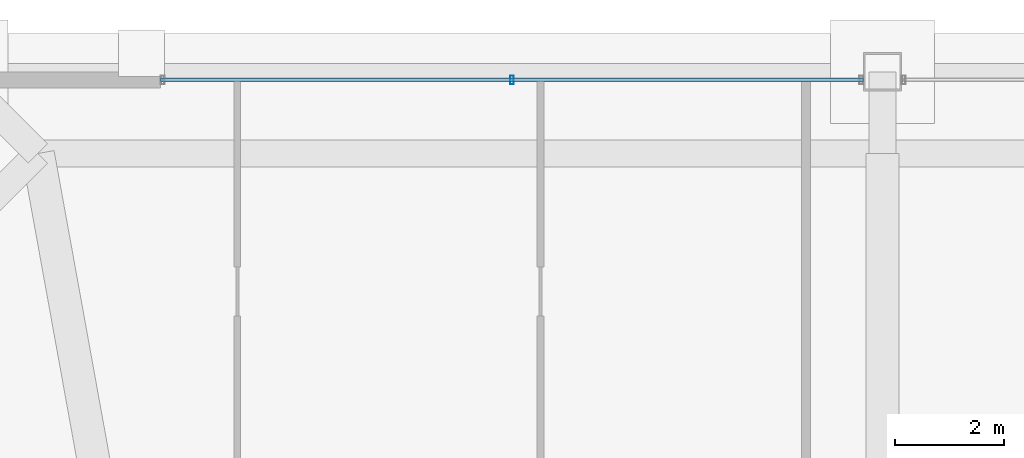
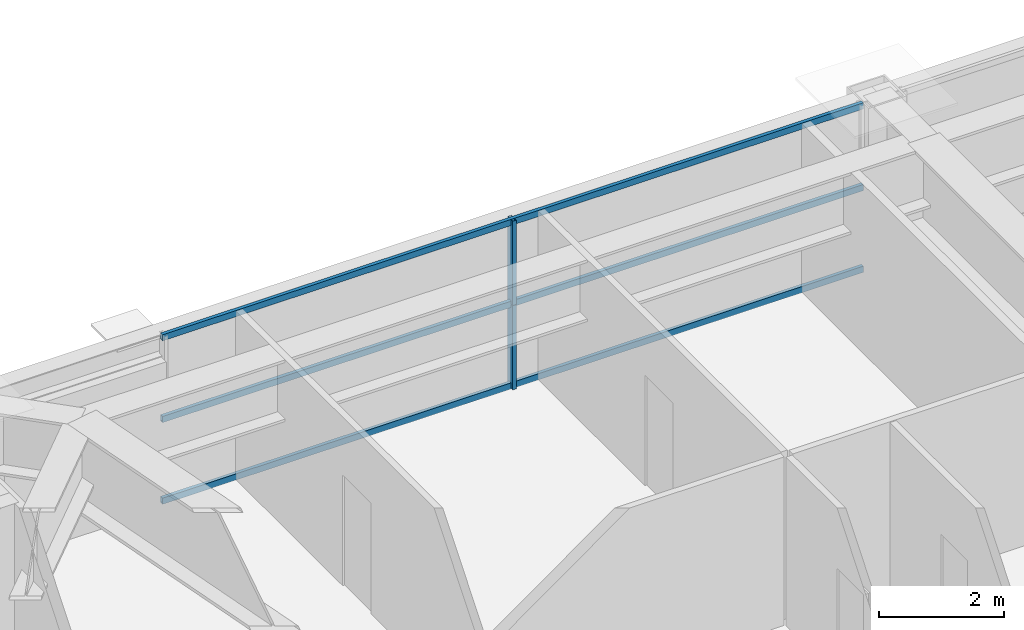
# One storey, part 23 of 33: 5 members, 1 element without a shape of its own.
"""IFC4 building model written with IfcOpenShell, lengths in metres."""

from ifc_helpers import new_model, si_unit, direction, frame, origin, origin_2d, place, context, subcontext, project, spatial, hollow_rectangle, extrude, source, transform, mapped, material, layer, layer_set, material_profile, profile_set, type_object, element, aggregate, save


model = new_model("IFC4")

# Units and contexts
model_context = context("Model", 3, precision=1e-05, world=origin(), true_north=direction((0.0, 1.0)))
body_context = subcontext(model_context, "Body", "Model", "MODEL_VIEW")
ifc_project = project(units=[si_unit("LENGTHUNIT", "METRE"), si_unit("AREAUNIT", "SQUARE_METRE"), si_unit("VOLUMEUNIT", "CUBIC_METRE"), si_unit("PLANEANGLEUNIT", "RADIAN"), si_unit("MASSUNIT", "GRAM", prefix="KILO"), si_unit("THERMODYNAMICTEMPERATUREUNIT", "KELVIN"), si_unit("POWERUNIT", "WATT")], contexts=[model_context])

# Site, building, storey
site_placement = place(None, origin())
site = spatial("IfcSite", under=ifc_project, at=site_placement, CompositionType="ELEMENT")
building_placement = place(site_placement, origin())
building = spatial("IfcBuilding", under=site, at=building_placement, Name="Yuzanri Waterfront Tower", CompositionType="ELEMENT")
storey_placement = place(building_placement, frame((0.0, 0.0, 282.10009765625)))
storey = spatial("IfcBuildingStorey", under=building, at=storey_placement, Name="L75", CompositionType="ELEMENT", Elevation=282.10009765625)

# Curtain wall, members
ifc_material_1 = material(Name="Anodized Architectural Bronze", Category="metal")
ifc_layer = layer(ifc_material_1, 0.159912109375)
ifc_layer_set = layer_set([ifc_layer], Name="Anodized Architectural Bronze")
curtain_wall_type = type_object("IfcCurtainWallType", Name="Anodized Bronze Mid-Rise Residential Acoustic Unitized Curtain Wall 7200", PredefinedType="NOTDEFINED", material=ifc_layer_set)
curtain_wall_placement = place(storey_placement, origin())
curtain_wall = element("IfcCurtainWall", 1, at=curtain_wall_placement, inside=storey, type_object=curtain_wall_type, Name="L75 Curtain Wall CW-L75-NL", PredefinedType="NOTDEFINED")
ifc_material_2 = material(Name="Anodized Architectural Bronze", Category="metal")
ifc_material_profile_1 = material_profile(ifc_material_2, hollow_rectangle(XDim=0.06494140625, YDim=0.159912109375, WallThickness=0.00341796875, at=origin_2d()), Name="CWM 65x160")
ifc_profile_set_1 = profile_set([ifc_material_profile_1], Name="Anodized Architectural Bronze")
member_type_1 = type_object("IfcMemberType", Name="Anodized Bronze Upper-Zone Curtain-Wall Mullion 65x160", PredefinedType="MULLION", material=ifc_profile_set_1)
shared_shape_1 = source(origin(), body_context, "Body", "SweptSolid", [
    extrude(hollow_rectangle(XDim=0.06494140625, YDim=0.159912109375, WallThickness=0.00341796875, at=origin_2d()), origin(), (0.0, 0.0, 1.0), 1.637939453125),
])
member_1_placement = place(storey_placement, frame((30.199951171875, 46.25, 0.0), z_axis=(0.0, 0.0, 1.0), x_axis=(1.0, 0.0, 0.0)))
member_1 = element("IfcMember", 2, at=member_1_placement, type_object=member_type_1, Name="CW-L75-NL Lower Mullion 01", PredefinedType="MULLION", context=body_context, shape_type="MappedRepresentation", body=[
    mapped(shared_shape_1, transform((0.0, 0.0, 0.0), scale=1.0)),
])
member_2_placement = place(storey_placement, frame((30.199951171875, 46.25, 1.641845703125), z_axis=(0.0, 0.0, 1.0), x_axis=(1.0, 0.0, 0.0)))
member_2 = element("IfcMember", 3, at=member_2_placement, type_object=member_type_1, Name="CW-L75-NL Upper Mullion 01", PredefinedType="MULLION", context=body_context, shape_type="MappedRepresentation", body=[
    mapped(shared_shape_1, transform((0.0, 0.0, 0.0), scale=1.0)),
])
ifc_material_3 = material(Name="Anodized Architectural Bronze", Category="metal")
ifc_material_profile_2 = material_profile(ifc_material_3, hollow_rectangle(XDim=0.06494140625, YDim=0.1201171875, WallThickness=0.00341796875, at=origin_2d()), Name="CWT 65x120")
ifc_profile_set_2 = profile_set([ifc_material_profile_2], Name="Anodized Architectural Bronze")
member_type_2 = type_object("IfcMemberType", Name="Anodized Bronze Secondary Curtain-Wall Transom 65x120", PredefinedType="USERDEFINED", material=ifc_profile_set_2)
shared_shape_2 = source(origin(), body_context, "Body", "SweptSolid", [
    extrude(hollow_rectangle(XDim=0.06494140625, YDim=0.1201171875, WallThickness=0.00341796875, at=origin_2d()), origin(), (0.0, 0.0, 1.0), 12.89990234375),
])
member_3_placement = place(storey_placement, frame((23.75, 46.25, 0.0498046875), z_axis=(1.0, 0.0, 0.0), x_axis=(0.0, 1.0, 0.0)))
member_3 = element("IfcMember", 4, at=member_3_placement, type_object=member_type_2, Name="CW-L75-NL Transom 1", ObjectType="TRANSOM", PredefinedType="USERDEFINED", context=body_context, shape_type="MappedRepresentation", body=[
    mapped(shared_shape_2, transform((0.0, 0.0, 0.0), scale=1.0)),
])
member_4_placement = place(storey_placement, frame((23.75, 46.25, 1.639892578125), z_axis=(1.0, 0.0, 0.0), x_axis=(0.0, 1.0, 0.0)))
member_4 = element("IfcMember", 5, at=member_4_placement, type_object=member_type_2, Name="CW-L75-NL Transom 2", ObjectType="TRANSOM", PredefinedType="USERDEFINED", context=body_context, shape_type="MappedRepresentation", body=[
    mapped(shared_shape_2, transform((0.0, 0.0, 0.0), scale=1.0)),
])
member_5_placement = place(storey_placement, frame((23.75, 46.25, 3.22998046875), z_axis=(1.0, 0.0, 0.0), x_axis=(0.0, 1.0, 0.0)))
member_5 = element("IfcMember", 6, at=member_5_placement, type_object=member_type_2, Name="CW-L75-NL Transom 3", ObjectType="TRANSOM", PredefinedType="USERDEFINED", context=body_context, shape_type="MappedRepresentation", body=[
    mapped(shared_shape_2, transform((0.0, 0.0, 0.0), scale=1.0)),
])
aggregate(curtain_wall, [member_1, member_2, member_3, member_4, member_5])

save(model, "model.ifc")
